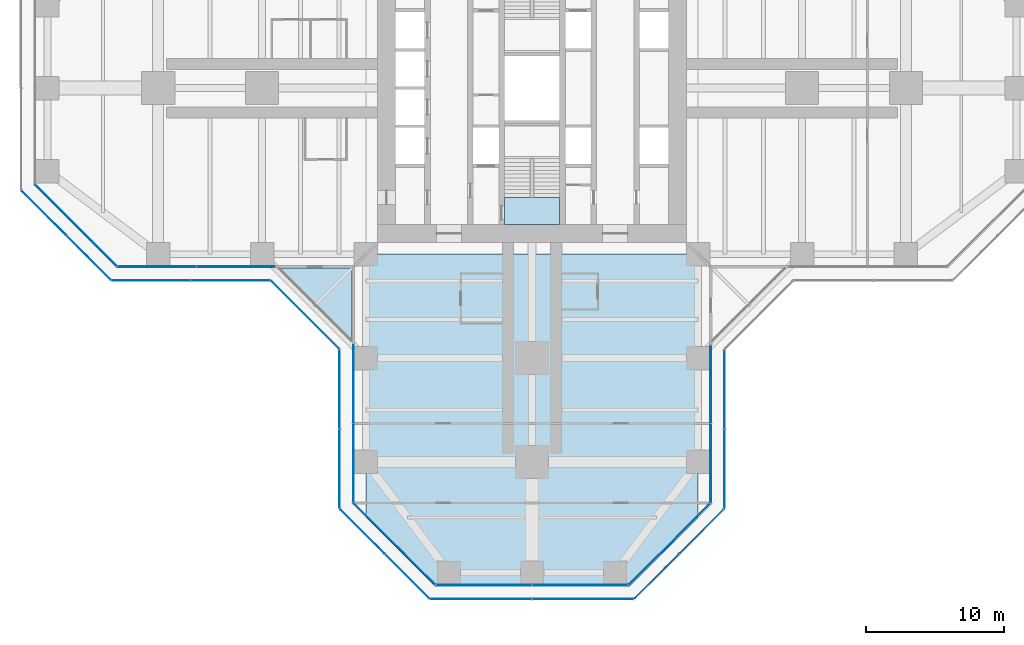
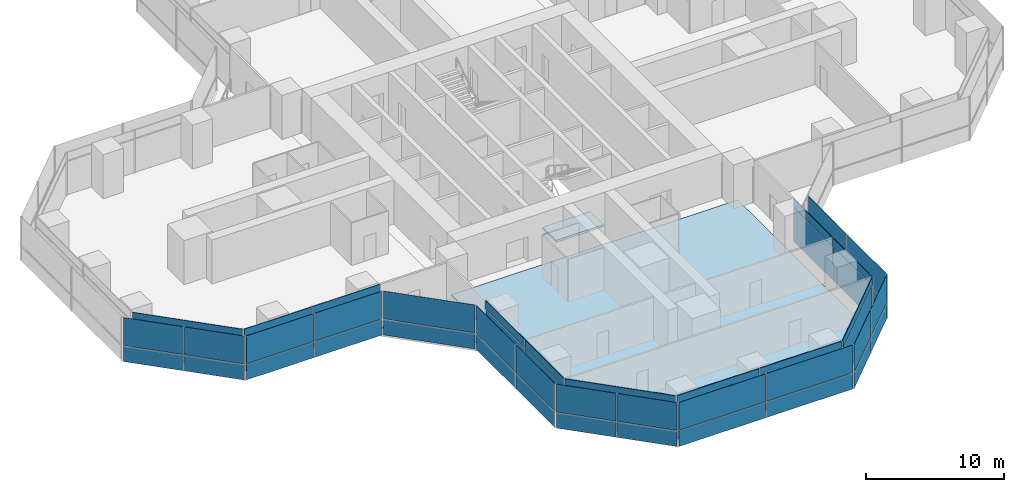
# One storey, part 14 of 22: 52 plates, 3 slabs, 16 elements without a shape of their own.
"""IFC4 building model written with IfcOpenShell, lengths in metres."""

from ifc_helpers import new_model, si_unit, direction, frame, origin, origin_2d, place, context, subcontext, project, spatial, polyline, rectangle, outline, extrude, material, layer, layer_set, type_object, element, aggregate, save


model = new_model("IFC4")

# Units and contexts
model_context = context("Model", 3, precision=1e-05, world=origin(), true_north=direction((0.0, 1.0)))
body_context = subcontext(model_context, "Body", "Model", "MODEL_VIEW")
ifc_project = project(units=[si_unit("LENGTHUNIT", "METRE"), si_unit("AREAUNIT", "SQUARE_METRE"), si_unit("VOLUMEUNIT", "CUBIC_METRE"), si_unit("PLANEANGLEUNIT", "RADIAN"), si_unit("MASSUNIT", "GRAM", prefix="KILO")], contexts=[model_context])

# Site, building, storey
site_placement = place(None, origin())
site = spatial("IfcSite", under=ifc_project, at=site_placement, CompositionType="ELEMENT")
building_placement = place(site_placement, origin())
building = spatial("IfcBuilding", under=site, at=building_placement, Name="Mizan Broadcast Tower", CompositionType="ELEMENT")
storey_placement = place(building_placement, frame((0.0, 0.0, 98.10009765625)))
storey = spatial("IfcBuildingStorey", under=building, at=storey_placement, Name="L21", CompositionType="ELEMENT", Elevation=98.10009765625)

# Slab
ifc_material_1 = material(Name="Concrete C32/40", Category="concrete")
ifc_layer_1 = layer(ifc_material_1, 0.1298828125)
ifc_layer_set_1 = layer_set([ifc_layer_1], Name="Concrete C32/40")
slab_type_1 = type_object("IfcSlabType", Name="COMPOSITE DECK SLAB 130", PredefinedType="FLOOR", material=ifc_layer_set_1)
slab_1_placement = place(storey_placement, frame((0.0, 0.0, -0.130126953125)))
element("IfcSlab", 1, at=slab_1_placement, inside=storey, type_object=slab_type_1, Name="Floor slab L21 south arm", PredefinedType="FLOOR", context=body_context, shape_type="SweptSolid", body=[
    extrude(outline(polyline([(7.0, -36.0), (12.0, -31.0), (12.0, -12.0), (-12.0, -12.0), (-12.0, -31.0), (-7.0, -36.0), (7.0, -36.0)])), origin(), (0.0, 0.0, 1.0), 0.130126953125),
])

# Curtain wall, plate
ifc_material_2 = material(Name="Aluminium framed glazing", Category="aluminium")
curtain_wall_type_1 = type_object("IfcCurtainWallType", Name="INNER SKIN LOW ZONE", PredefinedType="USERDEFINED", material=ifc_material_2)
curtain_wall_1_placement = place(storey_placement, origin())
curtain_wall_1 = element("IfcCurtainWall", 2, at=curtain_wall_1_placement, inside=storey, type_object=curtain_wall_type_1, Name="Inner skin low zone L21 W chamfer", ObjectType="INNER SKIN LOW ZONE", PredefinedType="USERDEFINED")
ifc_material_3 = material(Name="Double glazing, clear low-e", Category="glass")
ifc_layer_2 = layer(ifc_material_3, 0.028076171875)
ifc_layer_set_2 = layer_set([ifc_layer_2], Name="Double glazing, clear low-e")
plate_type_1 = type_object("IfcPlateType", Name="INNER SKIN GLAZING UNIT", PredefinedType="CURTAIN_PANEL", material=ifc_layer_set_2)
plate_1_placement = place(storey_placement, frame((-32.92919921875, -9.92919921875, 0.0), z_axis=(0.0, 0.0, 1.0), x_axis=(0.707106781187, -0.707106781187, 0.0)))
plate_1 = element("IfcPlate", 3, at=plate_1_placement, type_object=plate_type_1, Name="Inner skin low zone L21 W chamfer panel 1.1", PredefinedType="CURTAIN_PANEL", context=body_context, shape_type="SweptSolid", body=[
    extrude(rectangle(XDim=8.282470703125, YDim=0.028076171875, at=origin_2d()), origin(), (0.0, 0.0, 1.0), 3.0),
])

# Curtain wall, plates
curtain_wall_2_placement = place(storey_placement, origin())
curtain_wall_2 = element("IfcCurtainWall", 4, at=curtain_wall_2_placement, inside=storey, type_object=curtain_wall_type_1, Name="Inner skin low zone L21 W side", ObjectType="INNER SKIN LOW ZONE", PredefinedType="USERDEFINED")
plate_2_placement = place(storey_placement, frame((-27.078857421875, -12.89990234375, 0.0), z_axis=(0.0, 0.0, 1.0), x_axis=(1.0, 0.0, 0.0)))
plate_2 = element("IfcPlate", 5, at=plate_2_placement, type_object=plate_type_1, Name="Inner skin low zone L21 W side panel 1.1", PredefinedType="CURTAIN_PANEL", context=body_context, shape_type="SweptSolid", body=[
    extrude(rectangle(XDim=5.639404296875, YDim=0.028076171875, at=origin_2d()), origin(), (0.0, 0.0, 1.0), 3.0),
])
plate_3_placement = place(storey_placement, frame((-21.379638671875, -12.89990234375, 0.0), z_axis=(0.0, 0.0, 1.0), x_axis=(1.0, 0.0, 0.0)))
plate_3 = element("IfcPlate", 6, at=plate_3_placement, type_object=plate_type_1, Name="Inner skin low zone L21 W side panel 2.1", PredefinedType="CURTAIN_PANEL", context=body_context, shape_type="SweptSolid", body=[
    extrude(rectangle(XDim=5.639404296875, YDim=0.028076171875, at=origin_2d()), origin(), (0.0, 0.0, 1.0), 3.0),
])

curtain_wall_3_placement = place(storey_placement, origin())
curtain_wall_3 = element("IfcCurtainWall", 7, at=curtain_wall_3_placement, inside=storey, type_object=curtain_wall_type_1, Name="Inner skin low zone L21 S side", ObjectType="INNER SKIN LOW ZONE", PredefinedType="USERDEFINED")
plate_4_placement = place(storey_placement, frame((-12.89990234375, -21.379638671875, 0.0), z_axis=(0.0, 0.0, 1.0), x_axis=(0.0, -1.0, 0.0)))
plate_4 = element("IfcPlate", 8, at=plate_4_placement, type_object=plate_type_1, Name="Inner skin low zone L21 S side panel 1.1", PredefinedType="CURTAIN_PANEL", context=body_context, shape_type="SweptSolid", body=[
    extrude(rectangle(XDim=5.639404296875, YDim=0.028076171875, at=origin_2d()), origin(), (0.0, 0.0, 1.0), 3.0),
])
plate_5_placement = place(storey_placement, frame((-12.89990234375, -27.078857421875, 0.0), z_axis=(0.0, 0.0, 1.0), x_axis=(0.0, -1.0, 0.0)))
plate_5 = element("IfcPlate", 9, at=plate_5_placement, type_object=plate_type_1, Name="Inner skin low zone L21 S side panel 2.1", PredefinedType="CURTAIN_PANEL", context=body_context, shape_type="SweptSolid", body=[
    extrude(rectangle(XDim=5.639404296875, YDim=0.028076171875, at=origin_2d()), origin(), (0.0, 0.0, 1.0), 3.0),
])

# Curtain wall, plate
curtain_wall_4_placement = place(storey_placement, origin())
curtain_wall_4 = element("IfcCurtainWall", 10, at=curtain_wall_4_placement, inside=storey, type_object=curtain_wall_type_1, Name="Inner skin low zone L21 S chamfer", ObjectType="INNER SKIN LOW ZONE", PredefinedType="USERDEFINED")
plate_6_placement = place(storey_placement, frame((-9.92919921875, -32.92919921875, 0.0), z_axis=(0.0, 0.0, 1.0), x_axis=(0.707106781187, -0.707106781187, 0.0)))
plate_6 = element("IfcPlate", 11, at=plate_6_placement, type_object=plate_type_1, Name="Inner skin low zone L21 S chamfer panel 1.1", PredefinedType="CURTAIN_PANEL", context=body_context, shape_type="SweptSolid", body=[
    extrude(rectangle(XDim=8.282470703125, YDim=0.028076171875, at=origin_2d()), origin(), (0.0, 0.0, 1.0), 3.0),
])

# Curtain wall, plates
curtain_wall_5_placement = place(storey_placement, origin())
curtain_wall_5 = element("IfcCurtainWall", 12, at=curtain_wall_5_placement, inside=storey, type_object=curtain_wall_type_1, Name="Inner skin low zone L21 S end", ObjectType="INNER SKIN LOW ZONE", PredefinedType="USERDEFINED")
plate_7_placement = place(storey_placement, frame((-3.46435546875, -35.89990234375, 0.0), z_axis=(0.0, 0.0, 1.0), x_axis=(1.0, 0.0, 0.0)))
plate_7 = element("IfcPlate", 13, at=plate_7_placement, type_object=plate_type_1, Name="Inner skin low zone L21 S end panel 1.1", PredefinedType="CURTAIN_PANEL", context=body_context, shape_type="SweptSolid", body=[
    extrude(rectangle(XDim=6.86865234375, YDim=0.028076171875, at=origin_2d()), origin(), (0.0, 0.0, 1.0), 3.0),
])
plate_8_placement = place(storey_placement, frame((3.46435546875, -35.89990234375, 0.0), z_axis=(0.0, 0.0, 1.0), x_axis=(1.0, 0.0, 0.0)))
plate_8 = element("IfcPlate", 14, at=plate_8_placement, type_object=plate_type_1, Name="Inner skin low zone L21 S end panel 2.1", PredefinedType="CURTAIN_PANEL", context=body_context, shape_type="SweptSolid", body=[
    extrude(rectangle(XDim=6.86865234375, YDim=0.028076171875, at=origin_2d()), origin(), (0.0, 0.0, 1.0), 3.0),
])

# Curtain wall, plate
curtain_wall_6_placement = place(storey_placement, origin())
curtain_wall_6 = element("IfcCurtainWall", 15, at=curtain_wall_6_placement, inside=storey, type_object=curtain_wall_type_1, Name="Inner skin low zone L21 S chamfer", ObjectType="INNER SKIN LOW ZONE", PredefinedType="USERDEFINED")
plate_9_placement = place(storey_placement, frame((9.92919921875, -32.92919921875, 0.0), z_axis=(0.0, 0.0, 1.0), x_axis=(0.707106781187, 0.707106781187, 0.0)))
plate_9 = element("IfcPlate", 16, at=plate_9_placement, type_object=plate_type_1, Name="Inner skin low zone L21 S chamfer panel 1.1", PredefinedType="CURTAIN_PANEL", context=body_context, shape_type="SweptSolid", body=[
    extrude(rectangle(XDim=8.282470703125, YDim=0.028076171875, at=origin_2d()), origin(), (0.0, 0.0, 1.0), 3.0),
])

# Curtain wall, plates
curtain_wall_7_placement = place(storey_placement, origin())
curtain_wall_7 = element("IfcCurtainWall", 17, at=curtain_wall_7_placement, inside=storey, type_object=curtain_wall_type_1, Name="Inner skin low zone L21 S side", ObjectType="INNER SKIN LOW ZONE", PredefinedType="USERDEFINED")
plate_10_placement = place(storey_placement, frame((12.89990234375, -27.078857421875, 0.0), z_axis=(0.0, 0.0, 1.0), x_axis=(0.0, 1.0, 0.0)))
plate_10 = element("IfcPlate", 18, at=plate_10_placement, type_object=plate_type_1, Name="Inner skin low zone L21 S side panel 1.1", PredefinedType="CURTAIN_PANEL", context=body_context, shape_type="SweptSolid", body=[
    extrude(rectangle(XDim=5.639404296875, YDim=0.028076171875, at=origin_2d()), origin(), (0.0, 0.0, 1.0), 3.0),
])
plate_11_placement = place(storey_placement, frame((12.89990234375, -21.379638671875, 0.0), z_axis=(0.0, 0.0, 1.0), x_axis=(0.0, 1.0, 0.0)))
plate_11 = element("IfcPlate", 19, at=plate_11_placement, type_object=plate_type_1, Name="Inner skin low zone L21 S side panel 2.1", PredefinedType="CURTAIN_PANEL", context=body_context, shape_type="SweptSolid", body=[
    extrude(rectangle(XDim=5.639404296875, YDim=0.028076171875, at=origin_2d()), origin(), (0.0, 0.0, 1.0), 3.0),
])

# Plate
ifc_material_4 = material(Name="Insulated aluminium spandrel panel, pale anodised", Category="aluminium")
ifc_layer_3 = layer(ifc_material_4, 0.050048828125)
ifc_layer_set_3 = layer_set([ifc_layer_3], Name="Insulated aluminium spandrel panel, pale anodised")
plate_type_2 = type_object("IfcPlateType", Name="INNER SKIN SPANDREL PANEL", PredefinedType="CURTAIN_PANEL", material=ifc_layer_set_3)
plate_12_placement = place(storey_placement, frame((-32.92919921875, -9.92919921875, 3.059814453125), z_axis=(0.0, 0.0, 1.0), x_axis=(0.707106781187, -0.707106781187, 0.0)))
plate_12 = element("IfcPlate", 20, at=plate_12_placement, type_object=plate_type_2, Name="Inner skin low zone L21 W chamfer panel 1.2", PredefinedType="CURTAIN_PANEL", context=body_context, shape_type="SweptSolid", body=[
    extrude(rectangle(XDim=8.282470703125, YDim=0.050048828125, at=origin_2d()), origin(), (0.0, 0.0, 1.0), 0.7099609375),
])

aggregate(curtain_wall_1, [plate_1, plate_12])

plate_13_placement = place(storey_placement, frame((-27.078857421875, -12.89990234375, 3.059814453125), z_axis=(0.0, 0.0, 1.0), x_axis=(1.0, 0.0, 0.0)))
plate_13 = element("IfcPlate", 21, at=plate_13_placement, type_object=plate_type_2, Name="Inner skin low zone L21 W side panel 1.2", PredefinedType="CURTAIN_PANEL", context=body_context, shape_type="SweptSolid", body=[
    extrude(rectangle(XDim=5.639404296875, YDim=0.050048828125, at=origin_2d()), origin(), (0.0, 0.0, 1.0), 0.7099609375),
])

plate_14_placement = place(storey_placement, frame((-21.379638671875, -12.89990234375, 3.059814453125), z_axis=(0.0, 0.0, 1.0), x_axis=(1.0, 0.0, 0.0)))
plate_14 = element("IfcPlate", 22, at=plate_14_placement, type_object=plate_type_2, Name="Inner skin low zone L21 W side panel 2.2", PredefinedType="CURTAIN_PANEL", context=body_context, shape_type="SweptSolid", body=[
    extrude(rectangle(XDim=5.639404296875, YDim=0.050048828125, at=origin_2d()), origin(), (0.0, 0.0, 1.0), 0.7099609375),
])

aggregate(curtain_wall_2, [plate_2, plate_13, plate_3, plate_14])

plate_15_placement = place(storey_placement, frame((-12.89990234375, -21.379638671875, 3.059814453125), z_axis=(0.0, 0.0, 1.0), x_axis=(0.0, -1.0, 0.0)))
plate_15 = element("IfcPlate", 23, at=plate_15_placement, type_object=plate_type_2, Name="Inner skin low zone L21 S side panel 1.2", PredefinedType="CURTAIN_PANEL", context=body_context, shape_type="SweptSolid", body=[
    extrude(rectangle(XDim=5.639404296875, YDim=0.050048828125, at=origin_2d()), origin(), (0.0, 0.0, 1.0), 0.7099609375),
])

plate_16_placement = place(storey_placement, frame((-12.89990234375, -27.078857421875, 3.059814453125), z_axis=(0.0, 0.0, 1.0), x_axis=(0.0, -1.0, 0.0)))
plate_16 = element("IfcPlate", 24, at=plate_16_placement, type_object=plate_type_2, Name="Inner skin low zone L21 S side panel 2.2", PredefinedType="CURTAIN_PANEL", context=body_context, shape_type="SweptSolid", body=[
    extrude(rectangle(XDim=5.639404296875, YDim=0.050048828125, at=origin_2d()), origin(), (0.0, 0.0, 1.0), 0.7099609375),
])

aggregate(curtain_wall_3, [plate_4, plate_15, plate_5, plate_16])

plate_17_placement = place(storey_placement, frame((-9.92919921875, -32.92919921875, 3.059814453125), z_axis=(0.0, 0.0, 1.0), x_axis=(0.707106781187, -0.707106781187, 0.0)))
plate_17 = element("IfcPlate", 25, at=plate_17_placement, type_object=plate_type_2, Name="Inner skin low zone L21 S chamfer panel 1.2", PredefinedType="CURTAIN_PANEL", context=body_context, shape_type="SweptSolid", body=[
    extrude(rectangle(XDim=8.282470703125, YDim=0.050048828125, at=origin_2d()), origin(), (0.0, 0.0, 1.0), 0.7099609375),
])

aggregate(curtain_wall_4, [plate_6, plate_17])

plate_18_placement = place(storey_placement, frame((-3.46435546875, -35.89990234375, 3.059814453125), z_axis=(0.0, 0.0, 1.0), x_axis=(1.0, 0.0, 0.0)))
plate_18 = element("IfcPlate", 26, at=plate_18_placement, type_object=plate_type_2, Name="Inner skin low zone L21 S end panel 1.2", PredefinedType="CURTAIN_PANEL", context=body_context, shape_type="SweptSolid", body=[
    extrude(rectangle(XDim=6.86865234375, YDim=0.050048828125, at=origin_2d()), origin(), (0.0, 0.0, 1.0), 0.7099609375),
])

plate_19_placement = place(storey_placement, frame((3.46435546875, -35.89990234375, 3.059814453125), z_axis=(0.0, 0.0, 1.0), x_axis=(1.0, 0.0, 0.0)))
plate_19 = element("IfcPlate", 27, at=plate_19_placement, type_object=plate_type_2, Name="Inner skin low zone L21 S end panel 2.2", PredefinedType="CURTAIN_PANEL", context=body_context, shape_type="SweptSolid", body=[
    extrude(rectangle(XDim=6.86865234375, YDim=0.050048828125, at=origin_2d()), origin(), (0.0, 0.0, 1.0), 0.7099609375),
])

aggregate(curtain_wall_5, [plate_7, plate_18, plate_8, plate_19])

plate_20_placement = place(storey_placement, frame((9.92919921875, -32.92919921875, 3.059814453125), z_axis=(0.0, 0.0, 1.0), x_axis=(0.707106781187, 0.707106781187, 0.0)))
plate_20 = element("IfcPlate", 28, at=plate_20_placement, type_object=plate_type_2, Name="Inner skin low zone L21 S chamfer panel 1.2", PredefinedType="CURTAIN_PANEL", context=body_context, shape_type="SweptSolid", body=[
    extrude(rectangle(XDim=8.282470703125, YDim=0.050048828125, at=origin_2d()), origin(), (0.0, 0.0, 1.0), 0.7099609375),
])

aggregate(curtain_wall_6, [plate_9, plate_20])

plate_21_placement = place(storey_placement, frame((12.89990234375, -27.078857421875, 3.059814453125), z_axis=(0.0, 0.0, 1.0), x_axis=(0.0, 1.0, 0.0)))
plate_21 = element("IfcPlate", 29, at=plate_21_placement, type_object=plate_type_2, Name="Inner skin low zone L21 S side panel 1.2", PredefinedType="CURTAIN_PANEL", context=body_context, shape_type="SweptSolid", body=[
    extrude(rectangle(XDim=5.639404296875, YDim=0.050048828125, at=origin_2d()), origin(), (0.0, 0.0, 1.0), 0.7099609375),
])

plate_22_placement = place(storey_placement, frame((12.89990234375, -21.379638671875, 3.059814453125), z_axis=(0.0, 0.0, 1.0), x_axis=(0.0, 1.0, 0.0)))
plate_22 = element("IfcPlate", 30, at=plate_22_placement, type_object=plate_type_2, Name="Inner skin low zone L21 S side panel 2.2", PredefinedType="CURTAIN_PANEL", context=body_context, shape_type="SweptSolid", body=[
    extrude(rectangle(XDim=5.639404296875, YDim=0.050048828125, at=origin_2d()), origin(), (0.0, 0.0, 1.0), 0.7099609375),
])

aggregate(curtain_wall_7, [plate_10, plate_21, plate_11, plate_22])

# Curtain wall, plates
ifc_material_5 = material(Name="Aluminium framed glazing", Category="aluminium")
curtain_wall_type_2 = type_object("IfcCurtainWallType", Name="OUTER SKIN", PredefinedType="USERDEFINED", material=ifc_material_5)
curtain_wall_8_placement = place(storey_placement, origin())
curtain_wall_8 = element("IfcCurtainWall", 31, at=curtain_wall_8_placement, inside=storey, type_object=curtain_wall_type_2, Name="Outer skin L21 W chamfer", ObjectType="OUTER SKIN", PredefinedType="USERDEFINED")
ifc_material_6 = material(Name="Laminated clear glass", Category="glass")
ifc_layer_4 = layer(ifc_material_6, 0.02001953125)
ifc_layer_set_4 = layer_set([ifc_layer_4], Name="Laminated clear glass")
plate_type_3 = type_object("IfcPlateType", Name="OUTER SKIN CLEAR GLASS", PredefinedType="CURTAIN_PANEL", material=ifc_layer_set_4)
plate_23_placement = place(storey_placement, frame((-35.254150390625, -9.018798828125, -0.000244140625), z_axis=(0.0, 0.0, 1.0), x_axis=(0.707106781187, -0.707106781187, 0.0)))
plate_23 = element("IfcPlate", 32, at=plate_23_placement, type_object=plate_type_3, Name="Outer skin L21 W chamfer panel 1.1", PredefinedType="CURTAIN_PANEL", context=body_context, shape_type="SweptSolid", body=[
    extrude(rectangle(XDim=4.495361328125, YDim=0.02001953125, at=origin_2d()), origin(), (0.0, 0.0, 1.0), 1.3701171875),
])
plate_24_placement = place(storey_placement, frame((-35.254150390625, -9.018798828125, 1.4296875), z_axis=(0.0, 0.0, 1.0), x_axis=(0.707106781187, -0.707106781187, 0.0)))
plate_24 = element("IfcPlate", 33, at=plate_24_placement, type_object=plate_type_3, Name="Outer skin L21 W chamfer panel 1.2", PredefinedType="CURTAIN_PANEL", context=body_context, shape_type="SweptSolid", body=[
    extrude(rectangle(XDim=4.495361328125, YDim=0.02001953125, at=origin_2d()), origin(), (0.0, 0.0, 1.0), 2.469970703125),
])

curtain_wall_9_placement = place(storey_placement, origin())
curtain_wall_9 = element("IfcCurtainWall", 34, at=curtain_wall_9_placement, inside=storey, type_object=curtain_wall_type_2, Name="Outer skin L21 W side", ObjectType="OUTER SKIN", PredefinedType="USERDEFINED")
plate_25_placement = place(storey_placement, frame((-27.477783203125, -13.89990234375, -0.000244140625), z_axis=(0.0, 0.0, 1.0), x_axis=(1.0, 0.0, 0.0)))
plate_25 = element("IfcPlate", 35, at=plate_25_placement, type_object=plate_type_3, Name="Outer skin L21 W side panel 1.1", PredefinedType="CURTAIN_PANEL", context=body_context, shape_type="SweptSolid", body=[
    extrude(rectangle(XDim=5.6298828125, YDim=0.02001953125, at=origin_2d()), origin(), (0.0, 0.0, 1.0), 1.3701171875),
])
plate_26_placement = place(storey_placement, frame((-27.477783203125, -13.89990234375, 1.4296875), z_axis=(0.0, 0.0, 1.0), x_axis=(1.0, 0.0, 0.0)))
plate_26 = element("IfcPlate", 36, at=plate_26_placement, type_object=plate_type_3, Name="Outer skin L21 W side panel 1.2", PredefinedType="CURTAIN_PANEL", context=body_context, shape_type="SweptSolid", body=[
    extrude(rectangle(XDim=5.6298828125, YDim=0.02001953125, at=origin_2d()), origin(), (0.0, 0.0, 1.0), 2.469970703125),
])

curtain_wall_10_placement = place(storey_placement, origin())
curtain_wall_10 = element("IfcCurtainWall", 37, at=curtain_wall_10_placement, inside=storey, type_object=curtain_wall_type_2, Name="Outer skin L21 W chamfer", ObjectType="OUTER SKIN", PredefinedType="USERDEFINED")
plate_27_placement = place(storey_placement, frame((-16.386474609375, -16.386474609375, -0.000244140625), z_axis=(0.0, 0.0, 1.0), x_axis=(0.707106781187, -0.707106781187, 0.0)))
plate_27 = element("IfcPlate", 38, at=plate_27_placement, type_object=plate_type_3, Name="Outer skin L21 W chamfer panel 1.1", PredefinedType="CURTAIN_PANEL", context=body_context, shape_type="SweptSolid", body=[
    extrude(rectangle(XDim=6.87255859375, YDim=0.02001953125, at=origin_2d()), origin(), (0.0, 0.0, 1.0), 1.3701171875),
])
plate_28_placement = place(storey_placement, frame((-16.386474609375, -16.386474609375, 1.4296875), z_axis=(0.0, 0.0, 1.0), x_axis=(0.707106781187, -0.707106781187, 0.0)))
plate_28 = element("IfcPlate", 39, at=plate_28_placement, type_object=plate_type_3, Name="Outer skin L21 W chamfer panel 1.2", PredefinedType="CURTAIN_PANEL", context=body_context, shape_type="SweptSolid", body=[
    extrude(rectangle(XDim=6.87255859375, YDim=0.02001953125, at=origin_2d()), origin(), (0.0, 0.0, 1.0), 2.469970703125),
])
aggregate(curtain_wall_10, [plate_27, plate_28])

curtain_wall_11_placement = place(storey_placement, origin())
curtain_wall_11 = element("IfcCurtainWall", 40, at=curtain_wall_11_placement, inside=storey, type_object=curtain_wall_type_2, Name="Outer skin L21 S side", ObjectType="OUTER SKIN", PredefinedType="USERDEFINED")
plate_29_placement = place(storey_placement, frame((-13.89990234375, -21.767822265625, -0.000244140625), z_axis=(0.0, 0.0, 1.0), x_axis=(0.0, -1.0, 0.0)))
plate_29 = element("IfcPlate", 41, at=plate_29_placement, type_object=plate_type_3, Name="Outer skin L21 S side panel 1.1", PredefinedType="CURTAIN_PANEL", context=body_context, shape_type="SweptSolid", body=[
    extrude(rectangle(XDim=5.6298828125, YDim=0.02001953125, at=origin_2d()), origin(), (0.0, 0.0, 1.0), 1.3701171875),
])
plate_30_placement = place(storey_placement, frame((-13.89990234375, -21.767822265625, 1.4296875), z_axis=(0.0, 0.0, 1.0), x_axis=(0.0, -1.0, 0.0)))
plate_30 = element("IfcPlate", 42, at=plate_30_placement, type_object=plate_type_3, Name="Outer skin L21 S side panel 1.2", PredefinedType="CURTAIN_PANEL", context=body_context, shape_type="SweptSolid", body=[
    extrude(rectangle(XDim=5.6298828125, YDim=0.02001953125, at=origin_2d()), origin(), (0.0, 0.0, 1.0), 2.469970703125),
])

curtain_wall_12_placement = place(storey_placement, origin())
curtain_wall_12 = element("IfcCurtainWall", 43, at=curtain_wall_12_placement, inside=storey, type_object=curtain_wall_type_2, Name="Outer skin L21 S chamfer", ObjectType="OUTER SKIN", PredefinedType="USERDEFINED")
plate_31_placement = place(storey_placement, frame((-12.254150390625, -32.018798828125, -0.000244140625), z_axis=(0.0, 0.0, 1.0), x_axis=(0.707106781187, -0.707106781187, 0.0)))
plate_31 = element("IfcPlate", 44, at=plate_31_placement, type_object=plate_type_3, Name="Outer skin L21 S chamfer panel 1.1", PredefinedType="CURTAIN_PANEL", context=body_context, shape_type="SweptSolid", body=[
    extrude(rectangle(XDim=4.495361328125, YDim=0.02001953125, at=origin_2d()), origin(), (0.0, 0.0, 1.0), 1.3701171875),
])
plate_32_placement = place(storey_placement, frame((-12.254150390625, -32.018798828125, 1.4296875), z_axis=(0.0, 0.0, 1.0), x_axis=(0.707106781187, -0.707106781187, 0.0)))
plate_32 = element("IfcPlate", 45, at=plate_32_placement, type_object=plate_type_3, Name="Outer skin L21 S chamfer panel 1.2", PredefinedType="CURTAIN_PANEL", context=body_context, shape_type="SweptSolid", body=[
    extrude(rectangle(XDim=4.495361328125, YDim=0.02001953125, at=origin_2d()), origin(), (0.0, 0.0, 1.0), 2.469970703125),
])

curtain_wall_13_placement = place(storey_placement, origin())
curtain_wall_13 = element("IfcCurtainWall", 46, at=curtain_wall_13_placement, inside=storey, type_object=curtain_wall_type_2, Name="Outer skin L21 S end", ObjectType="OUTER SKIN", PredefinedType="USERDEFINED")
plate_33_placement = place(storey_placement, frame((-3.66650390625, -36.89990234375, -0.000244140625), z_axis=(0.0, 0.0, 1.0), x_axis=(1.0, 0.0, 0.0)))
plate_33 = element("IfcPlate", 47, at=plate_33_placement, type_object=plate_type_3, Name="Outer skin L21 S end panel 1.1", PredefinedType="CURTAIN_PANEL", context=body_context, shape_type="SweptSolid", body=[
    extrude(rectangle(XDim=7.252685546875, YDim=0.02001953125, at=origin_2d()), origin(), (0.0, 0.0, 1.0), 1.3701171875),
])
plate_34_placement = place(storey_placement, frame((-3.66650390625, -36.89990234375, 1.4296875), z_axis=(0.0, 0.0, 1.0), x_axis=(1.0, 0.0, 0.0)))
plate_34 = element("IfcPlate", 48, at=plate_34_placement, type_object=plate_type_3, Name="Outer skin L21 S end panel 1.2", PredefinedType="CURTAIN_PANEL", context=body_context, shape_type="SweptSolid", body=[
    extrude(rectangle(XDim=7.252685546875, YDim=0.02001953125, at=origin_2d()), origin(), (0.0, 0.0, 1.0), 2.469970703125),
])

curtain_wall_14_placement = place(storey_placement, origin())
curtain_wall_14 = element("IfcCurtainWall", 49, at=curtain_wall_14_placement, inside=storey, type_object=curtain_wall_type_2, Name="Outer skin L21 S chamfer", ObjectType="OUTER SKIN", PredefinedType="USERDEFINED")
plate_35_placement = place(storey_placement, frame((9.018798828125, -35.254150390625, -0.000244140625), z_axis=(0.0, 0.0, 1.0), x_axis=(0.707106781187, 0.707106781187, 0.0)))
plate_35 = element("IfcPlate", 50, at=plate_35_placement, type_object=plate_type_3, Name="Outer skin L21 S chamfer panel 1.1", PredefinedType="CURTAIN_PANEL", context=body_context, shape_type="SweptSolid", body=[
    extrude(rectangle(XDim=4.495361328125, YDim=0.02001953125, at=origin_2d()), origin(), (0.0, 0.0, 1.0), 1.3701171875),
])
plate_36_placement = place(storey_placement, frame((9.018798828125, -35.254150390625, 1.4296875), z_axis=(0.0, 0.0, 1.0), x_axis=(0.707106781187, 0.707106781187, 0.0)))
plate_36 = element("IfcPlate", 51, at=plate_36_placement, type_object=plate_type_3, Name="Outer skin L21 S chamfer panel 1.2", PredefinedType="CURTAIN_PANEL", context=body_context, shape_type="SweptSolid", body=[
    extrude(rectangle(XDim=4.495361328125, YDim=0.02001953125, at=origin_2d()), origin(), (0.0, 0.0, 1.0), 2.469970703125),
])

curtain_wall_15_placement = place(storey_placement, origin())
curtain_wall_15 = element("IfcCurtainWall", 52, at=curtain_wall_15_placement, inside=storey, type_object=curtain_wall_type_2, Name="Outer skin L21 S side", ObjectType="OUTER SKIN", PredefinedType="USERDEFINED")
plate_37_placement = place(storey_placement, frame((13.89990234375, -27.477783203125, -0.000244140625), z_axis=(0.0, 0.0, 1.0), x_axis=(0.0, 1.0, 0.0)))
plate_37 = element("IfcPlate", 53, at=plate_37_placement, type_object=plate_type_3, Name="Outer skin L21 S side panel 1.1", PredefinedType="CURTAIN_PANEL", context=body_context, shape_type="SweptSolid", body=[
    extrude(rectangle(XDim=5.6298828125, YDim=0.02001953125, at=origin_2d()), origin(), (0.0, 0.0, 1.0), 1.3701171875),
])
plate_38_placement = place(storey_placement, frame((13.89990234375, -27.477783203125, 1.4296875), z_axis=(0.0, 0.0, 1.0), x_axis=(0.0, 1.0, 0.0)))
plate_38 = element("IfcPlate", 54, at=plate_38_placement, type_object=plate_type_3, Name="Outer skin L21 S side panel 1.2", PredefinedType="CURTAIN_PANEL", context=body_context, shape_type="SweptSolid", body=[
    extrude(rectangle(XDim=5.6298828125, YDim=0.02001953125, at=origin_2d()), origin(), (0.0, 0.0, 1.0), 2.469970703125),
])

# Plate
ifc_material_7 = material(Name="Perforated aluminium, pale anodised", Category="aluminium")
ifc_layer_5 = layer(ifc_material_7, 0.011962890625)
ifc_layer_set_5 = layer_set([ifc_layer_5], Name="Perforated aluminium, pale anodised")
plate_type_4 = type_object("IfcPlateType", Name="OUTER SKIN PERFORATED SCREEN", PredefinedType="USERDEFINED", material=ifc_layer_set_5)
plate_39_placement = place(storey_placement, frame((-32.018798828125, -12.254150390625, -0.000244140625), z_axis=(0.0, 0.0, 1.0), x_axis=(0.707106781187, -0.707106781187, 0.0)))
plate_39 = element("IfcPlate", 55, at=plate_39_placement, type_object=plate_type_4, Name="Outer skin L21 W chamfer panel 2.1", ObjectType="SCREEN", PredefinedType="USERDEFINED", context=body_context, shape_type="SweptSolid", body=[
    extrude(rectangle(XDim=4.495361328125, YDim=0.011962890625, at=origin_2d()), origin(), (0.0, 0.0, 1.0), 1.3701171875),
])

plate_40_placement = place(storey_placement, frame((-32.018798828125, -12.254150390625, 1.4296875), z_axis=(0.0, 0.0, 1.0), x_axis=(0.707106781187, -0.707106781187, 0.0)))
plate_40 = element("IfcPlate", 56, at=plate_40_placement, type_object=plate_type_4, Name="Outer skin L21 W chamfer panel 2.2", ObjectType="SCREEN", PredefinedType="USERDEFINED", context=body_context, shape_type="SweptSolid", body=[
    extrude(rectangle(XDim=4.495361328125, YDim=0.011962890625, at=origin_2d()), origin(), (0.0, 0.0, 1.0), 2.469970703125),
])

aggregate(curtain_wall_8, [plate_23, plate_24, plate_39, plate_40])

plate_41_placement = place(storey_placement, frame((-21.767822265625, -13.89990234375, -0.000244140625), z_axis=(0.0, 0.0, 1.0), x_axis=(1.0, 0.0, 0.0)))
plate_41 = element("IfcPlate", 57, at=plate_41_placement, type_object=plate_type_4, Name="Outer skin L21 W side panel 2.1", ObjectType="SCREEN", PredefinedType="USERDEFINED", context=body_context, shape_type="SweptSolid", body=[
    extrude(rectangle(XDim=5.6298828125, YDim=0.011962890625, at=origin_2d()), origin(), (0.0, 0.0, 1.0), 1.3701171875),
])

plate_42_placement = place(storey_placement, frame((-21.767822265625, -13.89990234375, 1.4296875), z_axis=(0.0, 0.0, 1.0), x_axis=(1.0, 0.0, 0.0)))
plate_42 = element("IfcPlate", 58, at=plate_42_placement, type_object=plate_type_4, Name="Outer skin L21 W side panel 2.2", ObjectType="SCREEN", PredefinedType="USERDEFINED", context=body_context, shape_type="SweptSolid", body=[
    extrude(rectangle(XDim=5.6298828125, YDim=0.011962890625, at=origin_2d()), origin(), (0.0, 0.0, 1.0), 2.469970703125),
])

aggregate(curtain_wall_9, [plate_25, plate_26, plate_41, plate_42])

plate_43_placement = place(storey_placement, frame((-13.89990234375, -27.477783203125, -0.000244140625), z_axis=(0.0, 0.0, 1.0), x_axis=(0.0, -1.0, 0.0)))
plate_43 = element("IfcPlate", 59, at=plate_43_placement, type_object=plate_type_4, Name="Outer skin L21 S side panel 2.1", ObjectType="SCREEN", PredefinedType="USERDEFINED", context=body_context, shape_type="SweptSolid", body=[
    extrude(rectangle(XDim=5.6298828125, YDim=0.011962890625, at=origin_2d()), origin(), (0.0, 0.0, 1.0), 1.3701171875),
])

plate_44_placement = place(storey_placement, frame((-13.89990234375, -27.477783203125, 1.4296875), z_axis=(0.0, 0.0, 1.0), x_axis=(0.0, -1.0, 0.0)))
plate_44 = element("IfcPlate", 60, at=plate_44_placement, type_object=plate_type_4, Name="Outer skin L21 S side panel 2.2", ObjectType="SCREEN", PredefinedType="USERDEFINED", context=body_context, shape_type="SweptSolid", body=[
    extrude(rectangle(XDim=5.6298828125, YDim=0.011962890625, at=origin_2d()), origin(), (0.0, 0.0, 1.0), 2.469970703125),
])

aggregate(curtain_wall_11, [plate_29, plate_30, plate_43, plate_44])

plate_45_placement = place(storey_placement, frame((-9.018798828125, -35.254150390625, -0.000244140625), z_axis=(0.0, 0.0, 1.0), x_axis=(0.707106781187, -0.707106781187, 0.0)))
plate_45 = element("IfcPlate", 61, at=plate_45_placement, type_object=plate_type_4, Name="Outer skin L21 S chamfer panel 2.1", ObjectType="SCREEN", PredefinedType="USERDEFINED", context=body_context, shape_type="SweptSolid", body=[
    extrude(rectangle(XDim=4.495361328125, YDim=0.011962890625, at=origin_2d()), origin(), (0.0, 0.0, 1.0), 1.3701171875),
])

plate_46_placement = place(storey_placement, frame((-9.018798828125, -35.254150390625, 1.4296875), z_axis=(0.0, 0.0, 1.0), x_axis=(0.707106781187, -0.707106781187, 0.0)))
plate_46 = element("IfcPlate", 62, at=plate_46_placement, type_object=plate_type_4, Name="Outer skin L21 S chamfer panel 2.2", ObjectType="SCREEN", PredefinedType="USERDEFINED", context=body_context, shape_type="SweptSolid", body=[
    extrude(rectangle(XDim=4.495361328125, YDim=0.011962890625, at=origin_2d()), origin(), (0.0, 0.0, 1.0), 2.469970703125),
])

aggregate(curtain_wall_12, [plate_31, plate_32, plate_45, plate_46])

plate_47_placement = place(storey_placement, frame((3.66650390625, -36.89990234375, -0.000244140625), z_axis=(0.0, 0.0, 1.0), x_axis=(1.0, 0.0, 0.0)))
plate_47 = element("IfcPlate", 63, at=plate_47_placement, type_object=plate_type_4, Name="Outer skin L21 S end panel 2.1", ObjectType="SCREEN", PredefinedType="USERDEFINED", context=body_context, shape_type="SweptSolid", body=[
    extrude(rectangle(XDim=7.252685546875, YDim=0.011962890625, at=origin_2d()), origin(), (0.0, 0.0, 1.0), 1.3701171875),
])

plate_48_placement = place(storey_placement, frame((3.66650390625, -36.89990234375, 1.4296875), z_axis=(0.0, 0.0, 1.0), x_axis=(1.0, 0.0, 0.0)))
plate_48 = element("IfcPlate", 64, at=plate_48_placement, type_object=plate_type_4, Name="Outer skin L21 S end panel 2.2", ObjectType="SCREEN", PredefinedType="USERDEFINED", context=body_context, shape_type="SweptSolid", body=[
    extrude(rectangle(XDim=7.252685546875, YDim=0.011962890625, at=origin_2d()), origin(), (0.0, 0.0, 1.0), 2.469970703125),
])

aggregate(curtain_wall_13, [plate_33, plate_34, plate_47, plate_48])

plate_49_placement = place(storey_placement, frame((12.254150390625, -32.018798828125, -0.000244140625), z_axis=(0.0, 0.0, 1.0), x_axis=(0.707106781187, 0.707106781187, 0.0)))
plate_49 = element("IfcPlate", 65, at=plate_49_placement, type_object=plate_type_4, Name="Outer skin L21 S chamfer panel 2.1", ObjectType="SCREEN", PredefinedType="USERDEFINED", context=body_context, shape_type="SweptSolid", body=[
    extrude(rectangle(XDim=4.495361328125, YDim=0.011962890625, at=origin_2d()), origin(), (0.0, 0.0, 1.0), 1.3701171875),
])

plate_50_placement = place(storey_placement, frame((12.254150390625, -32.018798828125, 1.4296875), z_axis=(0.0, 0.0, 1.0), x_axis=(0.707106781187, 0.707106781187, 0.0)))
plate_50 = element("IfcPlate", 66, at=plate_50_placement, type_object=plate_type_4, Name="Outer skin L21 S chamfer panel 2.2", ObjectType="SCREEN", PredefinedType="USERDEFINED", context=body_context, shape_type="SweptSolid", body=[
    extrude(rectangle(XDim=4.495361328125, YDim=0.011962890625, at=origin_2d()), origin(), (0.0, 0.0, 1.0), 2.469970703125),
])

aggregate(curtain_wall_14, [plate_35, plate_36, plate_49, plate_50])

plate_51_placement = place(storey_placement, frame((13.89990234375, -21.767822265625, -0.000244140625), z_axis=(0.0, 0.0, 1.0), x_axis=(0.0, 1.0, 0.0)))
plate_51 = element("IfcPlate", 67, at=plate_51_placement, type_object=plate_type_4, Name="Outer skin L21 S side panel 2.1", ObjectType="SCREEN", PredefinedType="USERDEFINED", context=body_context, shape_type="SweptSolid", body=[
    extrude(rectangle(XDim=5.6298828125, YDim=0.011962890625, at=origin_2d()), origin(), (0.0, 0.0, 1.0), 1.3701171875),
])

plate_52_placement = place(storey_placement, frame((13.89990234375, -21.767822265625, 1.4296875), z_axis=(0.0, 0.0, 1.0), x_axis=(0.0, 1.0, 0.0)))
plate_52 = element("IfcPlate", 68, at=plate_52_placement, type_object=plate_type_4, Name="Outer skin L21 S side panel 2.2", ObjectType="SCREEN", PredefinedType="USERDEFINED", context=body_context, shape_type="SweptSolid", body=[
    extrude(rectangle(XDim=5.6298828125, YDim=0.011962890625, at=origin_2d()), origin(), (0.0, 0.0, 1.0), 2.469970703125),
])

aggregate(curtain_wall_15, [plate_37, plate_38, plate_51, plate_52])

# Stair, slab
ifc_material_8 = material(Name="Concrete C40/50", Category="concrete")
stair_type = type_object("IfcStairType", Name="EXIT STAIR", PredefinedType="HALF_TURN_STAIR", material=ifc_material_8)
stair_placement = place(storey_placement, origin())
stair = element("IfcStair", 69, at=stair_placement, inside=storey, type_object=stair_type, Name="Stair A L21", PredefinedType="HALF_TURN_STAIR")
ifc_material_9 = material(Name="Concrete C40/50", Category="concrete")
ifc_layer_6 = layer(ifc_material_9, 0.199951171875)
ifc_layer_set_6 = layer_set([ifc_layer_6], Name="Concrete C40/50")
slab_type_2 = type_object("IfcSlabType", Name="STAIR LANDING 200", PredefinedType="LANDING", material=ifc_layer_set_6)
slab_2_placement = place(storey_placement, frame((0.0, 0.0, -0.2001953125)))
slab_2 = element("IfcSlab", 70, at=slab_2_placement, type_object=slab_type_2, Name="A landing 1", PredefinedType="LANDING", context=body_context, shape_type="SweptSolid", body=[
    extrude(outline(polyline([(-2.0, -9.85009765625), (-2.0, -7.89990234375), (2.0, -7.89990234375), (2.0, -9.85009765625), (-2.0, -9.85009765625)])), origin(), (0.0, 0.0, 1.0), 0.2001953125),
])
aggregate(stair, [slab_2])

# Slab
ifc_material_10 = material(Name="Concrete C32/40", Category="concrete")
ifc_layer_7 = layer(ifc_material_10, 0.1298828125)
ifc_layer_set_7 = layer_set([ifc_layer_7], Name="Concrete C32/40")
slab_type_3 = type_object("IfcSlabType", Name="WINTER GARDEN SLAB 130", PredefinedType="FLOOR", material=ifc_layer_set_7)
slab_3_placement = place(storey_placement, frame((0.0, 0.0, -0.130126953125)))
element("IfcSlab", 71, at=slab_3_placement, inside=storey, type_object=slab_type_3, Name="Winter garden slab L21 W", PredefinedType="FLOOR", context=body_context, shape_type="SweptSolid", body=[
    extrude(outline(polyline([(-13.0, -13.0), (-18.5, -13.0), (-13.0, -18.5), (-13.0, -13.0)])), origin(), (0.0, 0.0, 1.0), 0.130126953125),
])

save(model, "model.ifc")
